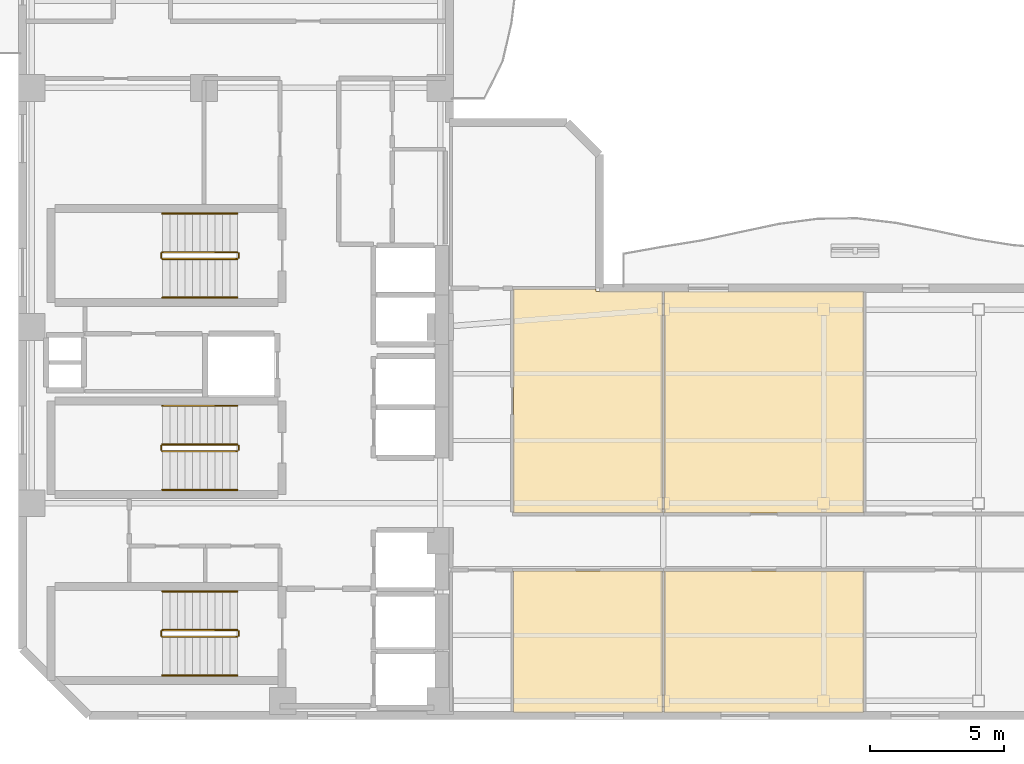
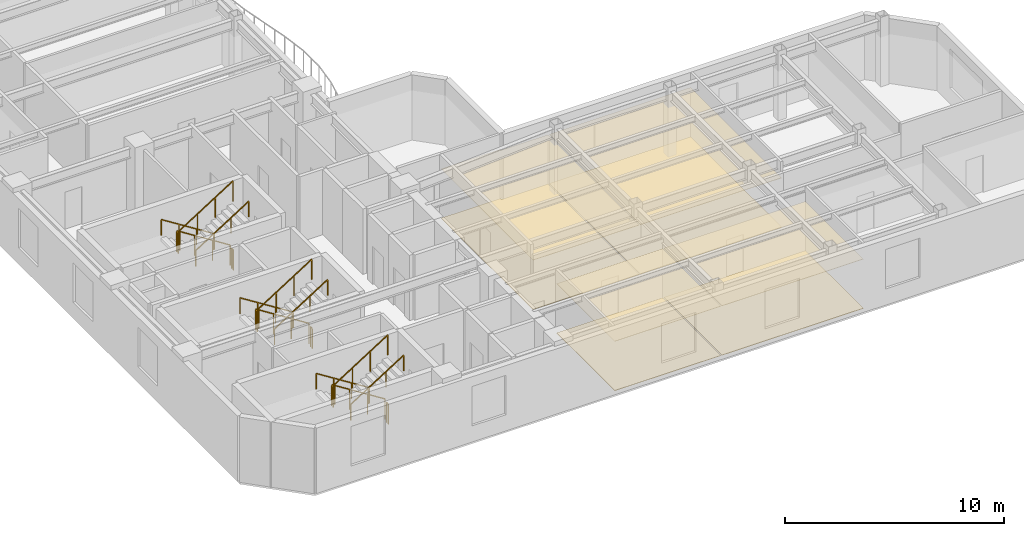
# One storey, part 7 of 9: 18 railings, 8 coverings.
"""IFC4 building model written with IfcOpenShell, lengths in metres."""

from ifc_helpers import new_model, si_unit, direction, frame, origin, origin_2d, place, context, subcontext, project, spatial, polyline, rectangle, outline, extrude, material, layer, layer_set, type_object, element, save


model = new_model("IFC4")

# Units and contexts
model_context = context("Model", 3, precision=1e-05, world=origin(), true_north=direction((0.0, 1.0)))
body_context = subcontext(model_context, "Body", "Model", "MODEL_VIEW")
ifc_project = project(units=[si_unit("LENGTHUNIT", "METRE"), si_unit("AREAUNIT", "SQUARE_METRE"), si_unit("VOLUMEUNIT", "CUBIC_METRE"), si_unit("PLANEANGLEUNIT", "RADIAN"), si_unit("MASSUNIT", "GRAM", prefix="KILO")], contexts=[model_context])

# Site, building, storey
site_placement = place(None, origin())
site = spatial("IfcSite", under=ifc_project, at=site_placement, CompositionType="ELEMENT")
building_placement = place(site_placement, origin())
building = spatial("IfcBuilding", under=site, at=building_placement, Name="Mawjaban Terraces University", CompositionType="ELEMENT")
storey_placement = place(building_placement, frame((0.0, 0.0, 234.300048828125)))
storey = spatial("IfcBuildingStorey", under=building, at=storey_placement, Name="L57", CompositionType="ELEMENT", Elevation=234.300048828125)

# Coverings
ifc_material_1 = material(Name="Acoustic mineral fibre ceiling tile", Category="masonry")
ifc_layer_1 = layer(ifc_material_1, 0.02001953125)
ifc_layer_set_1 = layer_set([ifc_layer_1], Name="Acoustic mineral fibre ceiling tile")
covering_type_1 = type_object("IfcCoveringType", Name="AcousticMineralCeiling_20", PredefinedType="CEILING", material=ifc_layer_set_1)
covering_1_placement = place(storey_placement, frame((0.0, 0.0, 2.75)))
element("IfcCovering", 1, at=covering_1_placement, inside=storey, type_object=covering_type_1, Name="L57 Conference Room 2 Acoustic Ceiling", PredefinedType="CEILING", context=body_context, shape_type="SweptSolid", body=[
    extrude(outline(polyline([(40.3798828125, 0.114990234375), (45.969970703125, 0.114990234375), (45.969970703125, 5.419921875), (40.3798828125, 5.419921875), (40.3798828125, 0.114990234375)])), origin(), (0.0, 0.0, 1.0), 0.02001953125),
])
covering_2_placement = place(storey_placement, frame((0.0, 0.0, 2.75)))
element("IfcCovering", 2, at=covering_2_placement, inside=storey, type_object=covering_type_1, Name="L57 Classroom 3 Acoustic Ceiling", PredefinedType="CEILING", context=body_context, shape_type="SweptSolid", body=[
    extrude(outline(polyline([(45.969970703125, 15.885009765625), (43.485107421875, 15.885009765625), (43.485107421875, 15.969970703125), (40.3798828125, 15.969970703125), (40.3798828125, 7.580078125), (45.969970703125, 7.580078125), (45.969970703125, 15.885009765625)])), origin(), (0.0, 0.0, 1.0), 0.02001953125),
])
covering_3_placement = place(storey_placement, frame((0.0, 0.0, 2.75)))
element("IfcCovering", 3, at=covering_3_placement, inside=storey, type_object=covering_type_1, Name="L57 Seminar Room 4 Acoustic Ceiling", PredefinedType="CEILING", context=body_context, shape_type="SweptSolid", body=[
    extrude(outline(polyline([(46.030029296875, 0.114990234375), (53.489990234375, 0.114990234375), (53.489990234375, 5.419921875), (46.030029296875, 5.419921875), (46.030029296875, 0.114990234375)])), origin(), (0.0, 0.0, 1.0), 0.02001953125),
])
covering_4_placement = place(storey_placement, frame((0.0, 0.0, 2.75)))
element("IfcCovering", 4, at=covering_4_placement, inside=storey, type_object=covering_type_1, Name="L57 Tutorial Room 5 Acoustic Ceiling", PredefinedType="CEILING", context=body_context, shape_type="SweptSolid", body=[
    extrude(outline(polyline([(53.489990234375, 15.885009765625), (46.030029296875, 15.885009765625), (46.030029296875, 7.580078125), (53.489990234375, 7.580078125), (53.489990234375, 15.885009765625)])), origin(), (0.0, 0.0, 1.0), 0.02001953125),
])

# Railings
ifc_material_2 = material(Name="Brushed stainless steel 316", Category="steel")
railing_type_1 = type_object("IfcRailingType", Name="StairWallHandrail_900", PredefinedType="HANDRAIL", material=ifc_material_2)
railing_1_placement = place(storey_placement, frame((30.050048828125, 4.64990234375, 0.17724609375)))
element("IfcRailing", 5, at=railing_1_placement, inside=storey, type_object=railing_type_1, Name="L57 ST-1 stair handrail 1", PredefinedType="HANDRAIL", context=body_context, shape_type="SweptSolid", body=[
    extrude(rectangle(XDim=0.048095703125, YDim=0.048095703125, at=origin_2d()), frame((0.0, 0.0, 0.8759765625), z_axis=(-0.844908973607, 0.0, 0.534910110503), x_axis=(0.0, -1.0, 0.0)), (0.0, 0.0, 1.0), 3.31396484375),
    extrude(rectangle(XDim=0.0419921875, YDim=0.0419921875, at=origin_2d()), origin(), (0.0, 0.0, 1.0), 0.851806640625),
    extrude(rectangle(XDim=0.0419921875, YDim=0.0419921875, at=origin_2d()), frame((-0.933349609375, 0.0, 0.5908203125)), (0.0, 0.0, 1.0), 0.851806640625),
    extrude(rectangle(XDim=0.0419921875, YDim=0.0419921875, at=origin_2d()), frame((-1.86669921875, 0.0, 1.181884765625)), (0.0, 0.0, 1.0), 0.851806640625),
    extrude(rectangle(XDim=0.0419921875, YDim=0.0419921875, at=origin_2d()), frame((-2.800048828125, 0.0, 1.772705078125)), (0.0, 0.0, 1.0), 0.851806640625),
])
railing_2_placement = place(storey_placement, frame((27.25, 1.5, 2.127197265625)))
element("IfcRailing", 6, at=railing_2_placement, inside=storey, type_object=railing_type_1, Name="L57 ST-1 stair handrail 2", PredefinedType="HANDRAIL", context=body_context, shape_type="SweptSolid", body=[
    extrude(rectangle(XDim=0.048095703125, YDim=0.048095703125, at=origin_2d()), frame((0.0, 0.0, 0.8759765625), z_axis=(0.844908973607, 0.0, 0.534910110503), x_axis=(0.0, 1.0, 0.0)), (0.0, 0.0, 1.0), 3.31396484375),
    extrude(rectangle(XDim=0.0419921875, YDim=0.0419921875, at=origin_2d()), origin(), (0.0, 0.0, 1.0), 0.851806640625),
    extrude(rectangle(XDim=0.0419921875, YDim=0.0419921875, at=origin_2d()), frame((0.933349609375, 0.0, 0.5908203125)), (0.0, 0.0, 1.0), 0.851806640625),
    extrude(rectangle(XDim=0.0419921875, YDim=0.0419921875, at=origin_2d()), frame((1.86669921875, 0.0, 1.181884765625)), (0.0, 0.0, 1.0), 0.851806640625),
    extrude(rectangle(XDim=0.0419921875, YDim=0.0419921875, at=origin_2d()), frame((2.800048828125, 0.0, 1.772705078125)), (0.0, 0.0, 1.0), 0.851806640625),
])
railing_3_placement = place(storey_placement, frame((30.050048828125, 18.800048828125, 0.17724609375)))
element("IfcRailing", 7, at=railing_3_placement, inside=storey, type_object=railing_type_1, Name="L57 ST-2 stair handrail 1", PredefinedType="HANDRAIL", context=body_context, shape_type="SweptSolid", body=[
    extrude(rectangle(XDim=0.048095703125, YDim=0.048095703125, at=origin_2d()), frame((0.0, 0.0, 0.8759765625), z_axis=(-0.844908973607, 0.0, 0.534910110503), x_axis=(0.0, -1.0, 0.0)), (0.0, 0.0, 1.0), 3.31396484375),
    extrude(rectangle(XDim=0.0419921875, YDim=0.0419921875, at=origin_2d()), origin(), (0.0, 0.0, 1.0), 0.851806640625),
    extrude(rectangle(XDim=0.0419921875, YDim=0.0419921875, at=origin_2d()), frame((-0.933349609375, 0.0, 0.5908203125)), (0.0, 0.0, 1.0), 0.851806640625),
    extrude(rectangle(XDim=0.0419921875, YDim=0.0419921875, at=origin_2d()), frame((-1.86669921875, 0.0, 1.181884765625)), (0.0, 0.0, 1.0), 0.851806640625),
    extrude(rectangle(XDim=0.0419921875, YDim=0.0419921875, at=origin_2d()), frame((-2.800048828125, 0.0, 1.772705078125)), (0.0, 0.0, 1.0), 0.851806640625),
])
railing_4_placement = place(storey_placement, frame((27.25, 15.64990234375, 2.127197265625)))
element("IfcRailing", 8, at=railing_4_placement, inside=storey, type_object=railing_type_1, Name="L57 ST-2 stair handrail 2", PredefinedType="HANDRAIL", context=body_context, shape_type="SweptSolid", body=[
    extrude(rectangle(XDim=0.048095703125, YDim=0.048095703125, at=origin_2d()), frame((0.0, 0.0, 0.8759765625), z_axis=(0.844908973607, 0.0, 0.534910110503), x_axis=(0.0, 1.0, 0.0)), (0.0, 0.0, 1.0), 3.31396484375),
    extrude(rectangle(XDim=0.0419921875, YDim=0.0419921875, at=origin_2d()), origin(), (0.0, 0.0, 1.0), 0.851806640625),
    extrude(rectangle(XDim=0.0419921875, YDim=0.0419921875, at=origin_2d()), frame((0.933349609375, 0.0, 0.5908203125)), (0.0, 0.0, 1.0), 0.851806640625),
    extrude(rectangle(XDim=0.0419921875, YDim=0.0419921875, at=origin_2d()), frame((1.86669921875, 0.0, 1.181884765625)), (0.0, 0.0, 1.0), 0.851806640625),
    extrude(rectangle(XDim=0.0419921875, YDim=0.0419921875, at=origin_2d()), frame((2.800048828125, 0.0, 1.772705078125)), (0.0, 0.0, 1.0), 0.851806640625),
])
railing_5_placement = place(storey_placement, frame((30.050048828125, 11.60009765625, 0.17724609375)))
element("IfcRailing", 9, at=railing_5_placement, inside=storey, type_object=railing_type_1, Name="L57 ST-3 stair handrail 1", PredefinedType="HANDRAIL", context=body_context, shape_type="SweptSolid", body=[
    extrude(rectangle(XDim=0.048095703125, YDim=0.048095703125, at=origin_2d()), frame((0.0, 0.0, 0.8759765625), z_axis=(-0.844908973607, 0.0, 0.534910110503), x_axis=(0.0, -1.0, 0.0)), (0.0, 0.0, 1.0), 3.31396484375),
    extrude(rectangle(XDim=0.0419921875, YDim=0.0419921875, at=origin_2d()), origin(), (0.0, 0.0, 1.0), 0.851806640625),
    extrude(rectangle(XDim=0.0419921875, YDim=0.0419921875, at=origin_2d()), frame((-0.933349609375, 0.0, 0.5908203125)), (0.0, 0.0, 1.0), 0.851806640625),
    extrude(rectangle(XDim=0.0419921875, YDim=0.0419921875, at=origin_2d()), frame((-1.86669921875, 0.0, 1.181884765625)), (0.0, 0.0, 1.0), 0.851806640625),
    extrude(rectangle(XDim=0.0419921875, YDim=0.0419921875, at=origin_2d()), frame((-2.800048828125, 0.0, 1.772705078125)), (0.0, 0.0, 1.0), 0.851806640625),
])
railing_6_placement = place(storey_placement, frame((27.25, 8.449951171875, 2.127197265625)))
element("IfcRailing", 10, at=railing_6_placement, inside=storey, type_object=railing_type_1, Name="L57 ST-3 stair handrail 2", PredefinedType="HANDRAIL", context=body_context, shape_type="SweptSolid", body=[
    extrude(rectangle(XDim=0.048095703125, YDim=0.048095703125, at=origin_2d()), frame((0.0, 0.0, 0.8759765625), z_axis=(0.844908973607, 0.0, 0.534910110503), x_axis=(0.0, 1.0, 0.0)), (0.0, 0.0, 1.0), 3.31396484375),
    extrude(rectangle(XDim=0.0419921875, YDim=0.0419921875, at=origin_2d()), origin(), (0.0, 0.0, 1.0), 0.851806640625),
    extrude(rectangle(XDim=0.0419921875, YDim=0.0419921875, at=origin_2d()), frame((0.933349609375, 0.0, 0.5908203125)), (0.0, 0.0, 1.0), 0.851806640625),
    extrude(rectangle(XDim=0.0419921875, YDim=0.0419921875, at=origin_2d()), frame((1.86669921875, 0.0, 1.181884765625)), (0.0, 0.0, 1.0), 0.851806640625),
    extrude(rectangle(XDim=0.0419921875, YDim=0.0419921875, at=origin_2d()), frame((2.800048828125, 0.0, 1.772705078125)), (0.0, 0.0, 1.0), 0.851806640625),
])
ifc_material_3 = material(Name="Galvanised painted steel S355", Category="steel")
railing_type_2 = type_object("IfcRailingType", Name="StairWellGuard_1150", PredefinedType="BALUSTRADE", material=ifc_material_3)
railing_7_placement = place(storey_placement, frame((30.050048828125, 3.199951171875, 0.17724609375)))
element("IfcRailing", 11, at=railing_7_placement, inside=storey, type_object=railing_type_2, Name="L57 ST-1 stair guard 1", PredefinedType="BALUSTRADE", context=body_context, shape_type="SweptSolid", body=[
    extrude(rectangle(XDim=0.048095703125, YDim=0.048095703125, at=origin_2d()), frame((0.0, 0.0, 1.1259765625), z_axis=(-0.844908973607, 0.0, 0.534910110503), x_axis=(0.0, -1.0, 0.0)), (0.0, 0.0, 1.0), 3.31396484375),
    extrude(rectangle(XDim=0.0419921875, YDim=0.0419921875, at=origin_2d()), origin(), (0.0, 0.0, 1.0), 1.101806640625),
    extrude(rectangle(XDim=0.0419921875, YDim=0.0419921875, at=origin_2d()), frame((-0.933349609375, 0.0, 0.5908203125)), (0.0, 0.0, 1.0), 1.101806640625),
    extrude(rectangle(XDim=0.0419921875, YDim=0.0419921875, at=origin_2d()), frame((-1.86669921875, 0.0, 1.181884765625)), (0.0, 0.0, 1.0), 1.101806640625),
    extrude(rectangle(XDim=0.0419921875, YDim=0.0419921875, at=origin_2d()), frame((-2.800048828125, 0.0, 1.772705078125)), (0.0, 0.0, 1.0), 1.101806640625),
])
railing_8_placement = place(storey_placement, frame((27.199951171875, 3.14990234375, 1.949951171875)))
element("IfcRailing", 12, at=railing_8_placement, inside=storey, type_object=railing_type_2, Name="L57 ST-1 stair guard 2", PredefinedType="BALUSTRADE", context=body_context, shape_type="SweptSolid", body=[
    extrude(rectangle(XDim=0.048095703125, YDim=0.048095703125, at=origin_2d()), frame((0.0, 0.0, 1.1259765625), z_axis=(0.0, -1.0, 0.0), x_axis=(1.0, 0.0, 0.0)), (0.0, 0.0, 1.0), 0.14990234375),
    extrude(rectangle(XDim=0.0419921875, YDim=0.0419921875, at=origin_2d()), origin(), (0.0, 0.0, 1.0), 1.101806640625),
    extrude(rectangle(XDim=0.0419921875, YDim=0.0419921875, at=origin_2d()), frame((0.0, -0.14990234375, 0.0)), (0.0, 0.0, 1.0), 1.101806640625),
])
railing_9_placement = place(storey_placement, frame((27.25, 2.949951171875, 2.127197265625)))
element("IfcRailing", 13, at=railing_9_placement, inside=storey, type_object=railing_type_2, Name="L57 ST-1 stair guard 3", PredefinedType="BALUSTRADE", context=body_context, shape_type="SweptSolid", body=[
    extrude(rectangle(XDim=0.048095703125, YDim=0.048095703125, at=origin_2d()), frame((0.0, 0.0, 1.1259765625), z_axis=(0.844908973607, 0.0, 0.534910110503), x_axis=(0.0, 1.0, 0.0)), (0.0, 0.0, 1.0), 3.31396484375),
    extrude(rectangle(XDim=0.0419921875, YDim=0.0419921875, at=origin_2d()), origin(), (0.0, 0.0, 1.0), 1.101806640625),
    extrude(rectangle(XDim=0.0419921875, YDim=0.0419921875, at=origin_2d()), frame((0.933349609375, 0.0, 0.5908203125)), (0.0, 0.0, 1.0), 1.101806640625),
    extrude(rectangle(XDim=0.0419921875, YDim=0.0419921875, at=origin_2d()), frame((1.86669921875, 0.0, 1.181884765625)), (0.0, 0.0, 1.0), 1.101806640625),
    extrude(rectangle(XDim=0.0419921875, YDim=0.0419921875, at=origin_2d()), frame((2.800048828125, 0.0, 1.772705078125)), (0.0, 0.0, 1.0), 1.101806640625),
])
railing_10_placement = place(storey_placement, frame((30.10009765625, 3.14990234375, 0.0)))
element("IfcRailing", 14, at=railing_10_placement, inside=storey, type_object=railing_type_2, Name="L57 ST-1 stair guard 4", PredefinedType="BALUSTRADE", context=body_context, shape_type="SweptSolid", body=[
    extrude(rectangle(XDim=0.048095703125, YDim=0.048095703125, at=origin_2d()), frame((0.0, 0.0, 1.1259765625), z_axis=(0.0, -1.0, 0.0), x_axis=(1.0, 0.0, 0.0)), (0.0, 0.0, 1.0), 0.14990234375),
    extrude(rectangle(XDim=0.0419921875, YDim=0.0419921875, at=origin_2d()), origin(), (0.0, 0.0, 1.0), 1.101806640625),
    extrude(rectangle(XDim=0.0419921875, YDim=0.0419921875, at=origin_2d()), frame((0.0, -0.14990234375, 0.0)), (0.0, 0.0, 1.0), 1.101806640625),
])
railing_11_placement = place(storey_placement, frame((30.050048828125, 17.35009765625, 0.17724609375)))
element("IfcRailing", 15, at=railing_11_placement, inside=storey, type_object=railing_type_2, Name="L57 ST-2 stair guard 1", PredefinedType="BALUSTRADE", context=body_context, shape_type="SweptSolid", body=[
    extrude(rectangle(XDim=0.048095703125, YDim=0.048095703125, at=origin_2d()), frame((0.0, 0.0, 1.1259765625), z_axis=(-0.844908973607, 0.0, 0.534910110503), x_axis=(0.0, -1.0, 0.0)), (0.0, 0.0, 1.0), 3.31396484375),
    extrude(rectangle(XDim=0.0419921875, YDim=0.0419921875, at=origin_2d()), origin(), (0.0, 0.0, 1.0), 1.101806640625),
    extrude(rectangle(XDim=0.0419921875, YDim=0.0419921875, at=origin_2d()), frame((-0.933349609375, 0.0, 0.5908203125)), (0.0, 0.0, 1.0), 1.101806640625),
    extrude(rectangle(XDim=0.0419921875, YDim=0.0419921875, at=origin_2d()), frame((-1.86669921875, 0.0, 1.181884765625)), (0.0, 0.0, 1.0), 1.101806640625),
    extrude(rectangle(XDim=0.0419921875, YDim=0.0419921875, at=origin_2d()), frame((-2.800048828125, 0.0, 1.772705078125)), (0.0, 0.0, 1.0), 1.101806640625),
])
railing_12_placement = place(storey_placement, frame((27.199951171875, 17.300048828125, 1.949951171875)))
element("IfcRailing", 16, at=railing_12_placement, inside=storey, type_object=railing_type_2, Name="L57 ST-2 stair guard 2", PredefinedType="BALUSTRADE", context=body_context, shape_type="SweptSolid", body=[
    extrude(rectangle(XDim=0.048095703125, YDim=0.048095703125, at=origin_2d()), frame((0.0, 0.0, 1.1259765625), z_axis=(0.0, -1.0, 0.0), x_axis=(1.0, 0.0, 0.0)), (0.0, 0.0, 1.0), 0.150146484375),
    extrude(rectangle(XDim=0.0419921875, YDim=0.0419921875, at=origin_2d()), origin(), (0.0, 0.0, 1.0), 1.101806640625),
    extrude(rectangle(XDim=0.0419921875, YDim=0.0419921875, at=origin_2d()), frame((0.0, -0.150146484375, 0.0)), (0.0, 0.0, 1.0), 1.101806640625),
])
railing_13_placement = place(storey_placement, frame((27.25, 17.10009765625, 2.127197265625)))
element("IfcRailing", 17, at=railing_13_placement, inside=storey, type_object=railing_type_2, Name="L57 ST-2 stair guard 3", PredefinedType="BALUSTRADE", context=body_context, shape_type="SweptSolid", body=[
    extrude(rectangle(XDim=0.048095703125, YDim=0.048095703125, at=origin_2d()), frame((0.0, 0.0, 1.1259765625), z_axis=(0.844908973607, 0.0, 0.534910110503), x_axis=(0.0, 1.0, 0.0)), (0.0, 0.0, 1.0), 3.31396484375),
    extrude(rectangle(XDim=0.0419921875, YDim=0.0419921875, at=origin_2d()), origin(), (0.0, 0.0, 1.0), 1.101806640625),
    extrude(rectangle(XDim=0.0419921875, YDim=0.0419921875, at=origin_2d()), frame((0.933349609375, 0.0, 0.5908203125)), (0.0, 0.0, 1.0), 1.101806640625),
    extrude(rectangle(XDim=0.0419921875, YDim=0.0419921875, at=origin_2d()), frame((1.86669921875, 0.0, 1.181884765625)), (0.0, 0.0, 1.0), 1.101806640625),
    extrude(rectangle(XDim=0.0419921875, YDim=0.0419921875, at=origin_2d()), frame((2.800048828125, 0.0, 1.772705078125)), (0.0, 0.0, 1.0), 1.101806640625),
])
railing_14_placement = place(storey_placement, frame((30.10009765625, 17.300048828125, 0.0)))
element("IfcRailing", 18, at=railing_14_placement, inside=storey, type_object=railing_type_2, Name="L57 ST-2 stair guard 4", PredefinedType="BALUSTRADE", context=body_context, shape_type="SweptSolid", body=[
    extrude(rectangle(XDim=0.048095703125, YDim=0.048095703125, at=origin_2d()), frame((0.0, 0.0, 1.1259765625), z_axis=(0.0, -1.0, 0.0), x_axis=(1.0, 0.0, 0.0)), (0.0, 0.0, 1.0), 0.150146484375),
    extrude(rectangle(XDim=0.0419921875, YDim=0.0419921875, at=origin_2d()), origin(), (0.0, 0.0, 1.0), 1.101806640625),
    extrude(rectangle(XDim=0.0419921875, YDim=0.0419921875, at=origin_2d()), frame((0.0, -0.150146484375, 0.0)), (0.0, 0.0, 1.0), 1.101806640625),
])
railing_15_placement = place(storey_placement, frame((30.050048828125, 10.14990234375, 0.17724609375)))
element("IfcRailing", 19, at=railing_15_placement, inside=storey, type_object=railing_type_2, Name="L57 ST-3 stair guard 1", PredefinedType="BALUSTRADE", context=body_context, shape_type="SweptSolid", body=[
    extrude(rectangle(XDim=0.048095703125, YDim=0.048095703125, at=origin_2d()), frame((0.0, 0.0, 1.1259765625), z_axis=(-0.844908973607, 0.0, 0.534910110503), x_axis=(0.0, -1.0, 0.0)), (0.0, 0.0, 1.0), 3.31396484375),
    extrude(rectangle(XDim=0.0419921875, YDim=0.0419921875, at=origin_2d()), origin(), (0.0, 0.0, 1.0), 1.101806640625),
    extrude(rectangle(XDim=0.0419921875, YDim=0.0419921875, at=origin_2d()), frame((-0.933349609375, 0.0, 0.5908203125)), (0.0, 0.0, 1.0), 1.101806640625),
    extrude(rectangle(XDim=0.0419921875, YDim=0.0419921875, at=origin_2d()), frame((-1.86669921875, 0.0, 1.181884765625)), (0.0, 0.0, 1.0), 1.101806640625),
    extrude(rectangle(XDim=0.0419921875, YDim=0.0419921875, at=origin_2d()), frame((-2.800048828125, 0.0, 1.772705078125)), (0.0, 0.0, 1.0), 1.101806640625),
])
railing_16_placement = place(storey_placement, frame((27.199951171875, 10.10009765625, 1.949951171875)))
element("IfcRailing", 20, at=railing_16_placement, inside=storey, type_object=railing_type_2, Name="L57 ST-3 stair guard 2", PredefinedType="BALUSTRADE", context=body_context, shape_type="SweptSolid", body=[
    extrude(rectangle(XDim=0.048095703125, YDim=0.048095703125, at=origin_2d()), frame((0.0, 0.0, 1.1259765625), z_axis=(0.0, -1.0, 0.0), x_axis=(1.0, 0.0, 0.0)), (0.0, 0.0, 1.0), 0.150146484375),
    extrude(rectangle(XDim=0.0419921875, YDim=0.0419921875, at=origin_2d()), origin(), (0.0, 0.0, 1.0), 1.101806640625),
    extrude(rectangle(XDim=0.0419921875, YDim=0.0419921875, at=origin_2d()), frame((0.0, -0.150146484375, 0.0)), (0.0, 0.0, 1.0), 1.101806640625),
])
railing_17_placement = place(storey_placement, frame((27.25, 9.89990234375, 2.127197265625)))
element("IfcRailing", 21, at=railing_17_placement, inside=storey, type_object=railing_type_2, Name="L57 ST-3 stair guard 3", PredefinedType="BALUSTRADE", context=body_context, shape_type="SweptSolid", body=[
    extrude(rectangle(XDim=0.048095703125, YDim=0.048095703125, at=origin_2d()), frame((0.0, 0.0, 1.1259765625), z_axis=(0.844908973607, 0.0, 0.534910110503), x_axis=(0.0, 1.0, 0.0)), (0.0, 0.0, 1.0), 3.31396484375),
    extrude(rectangle(XDim=0.0419921875, YDim=0.0419921875, at=origin_2d()), origin(), (0.0, 0.0, 1.0), 1.101806640625),
    extrude(rectangle(XDim=0.0419921875, YDim=0.0419921875, at=origin_2d()), frame((0.933349609375, 0.0, 0.5908203125)), (0.0, 0.0, 1.0), 1.101806640625),
    extrude(rectangle(XDim=0.0419921875, YDim=0.0419921875, at=origin_2d()), frame((1.86669921875, 0.0, 1.181884765625)), (0.0, 0.0, 1.0), 1.101806640625),
    extrude(rectangle(XDim=0.0419921875, YDim=0.0419921875, at=origin_2d()), frame((2.800048828125, 0.0, 1.772705078125)), (0.0, 0.0, 1.0), 1.101806640625),
])
railing_18_placement = place(storey_placement, frame((30.10009765625, 10.10009765625, 0.0)))
element("IfcRailing", 22, at=railing_18_placement, inside=storey, type_object=railing_type_2, Name="L57 ST-3 stair guard 4", PredefinedType="BALUSTRADE", context=body_context, shape_type="SweptSolid", body=[
    extrude(rectangle(XDim=0.048095703125, YDim=0.048095703125, at=origin_2d()), frame((0.0, 0.0, 1.1259765625), z_axis=(0.0, -1.0, 0.0), x_axis=(1.0, 0.0, 0.0)), (0.0, 0.0, 1.0), 0.150146484375),
    extrude(rectangle(XDim=0.0419921875, YDim=0.0419921875, at=origin_2d()), origin(), (0.0, 0.0, 1.0), 1.101806640625),
    extrude(rectangle(XDim=0.0419921875, YDim=0.0419921875, at=origin_2d()), frame((0.0, -0.150146484375, 0.0)), (0.0, 0.0, 1.0), 1.101806640625),
])

# Coverings
ifc_material_4 = material(Name="Polished Hijazi granite terrazzo flooring", Category="masonry")
ifc_layer_2 = layer(ifc_material_4, 0.02490234375)
ifc_layer_set_2 = layer_set([ifc_layer_2], Name="Polished Hijazi granite terrazzo flooring")
covering_type_2 = type_object("IfcCoveringType", Name="TerrazzoConcourseFlooring_25", PredefinedType="FLOORING", material=ifc_layer_set_2)
covering_5_placement = place(storey_placement, origin())
element("IfcCovering", 23, at=covering_5_placement, inside=storey, type_object=covering_type_2, Name="L57 Conference Room 2 Terrazzo Flooring", PredefinedType="FLOORING", context=body_context, shape_type="SweptSolid", body=[
    extrude(outline(polyline([(40.3798828125, 0.114990234375), (45.969970703125, 0.114990234375), (45.969970703125, 5.419921875), (40.3798828125, 5.419921875), (40.3798828125, 0.114990234375)])), origin(), (0.0, 0.0, 1.0), 0.02490234375),
])
covering_6_placement = place(storey_placement, origin())
element("IfcCovering", 24, at=covering_6_placement, inside=storey, type_object=covering_type_2, Name="L57 Classroom 3 Terrazzo Flooring", PredefinedType="FLOORING", context=body_context, shape_type="SweptSolid", body=[
    extrude(outline(polyline([(45.969970703125, 15.885009765625), (43.485107421875, 15.885009765625), (43.485107421875, 15.969970703125), (40.3798828125, 15.969970703125), (40.3798828125, 7.580078125), (45.969970703125, 7.580078125), (45.969970703125, 15.885009765625)])), origin(), (0.0, 0.0, 1.0), 0.02490234375),
])
covering_7_placement = place(storey_placement, origin())
element("IfcCovering", 25, at=covering_7_placement, inside=storey, type_object=covering_type_2, Name="L57 Seminar Room 4 Terrazzo Flooring", PredefinedType="FLOORING", context=body_context, shape_type="SweptSolid", body=[
    extrude(outline(polyline([(46.030029296875, 0.114990234375), (53.489990234375, 0.114990234375), (53.489990234375, 5.419921875), (46.030029296875, 5.419921875), (46.030029296875, 0.114990234375)])), origin(), (0.0, 0.0, 1.0), 0.02490234375),
])
covering_8_placement = place(storey_placement, origin())
element("IfcCovering", 26, at=covering_8_placement, inside=storey, type_object=covering_type_2, Name="L57 Tutorial Room 5 Terrazzo Flooring", PredefinedType="FLOORING", context=body_context, shape_type="SweptSolid", body=[
    extrude(outline(polyline([(53.489990234375, 15.885009765625), (46.030029296875, 15.885009765625), (46.030029296875, 7.580078125), (53.489990234375, 7.580078125), (53.489990234375, 15.885009765625)])), origin(), (0.0, 0.0, 1.0), 0.02490234375),
])

save(model, "model.ifc")
